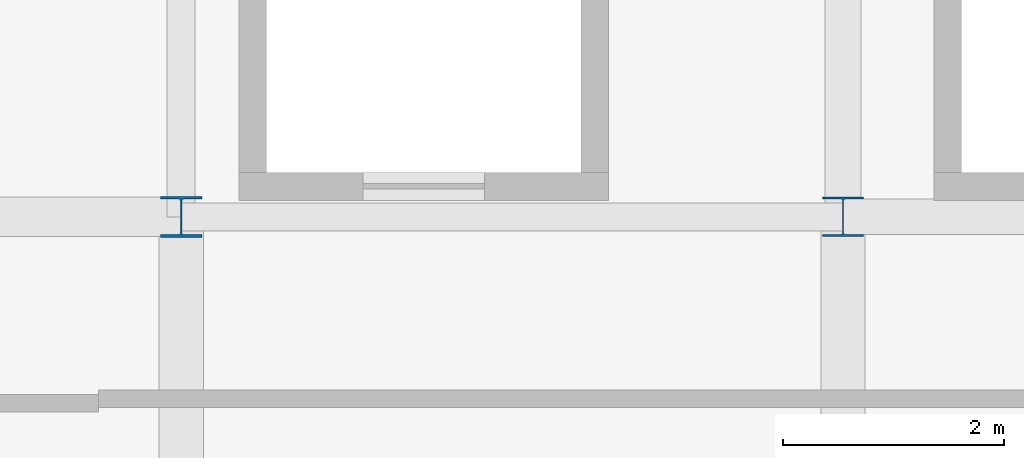
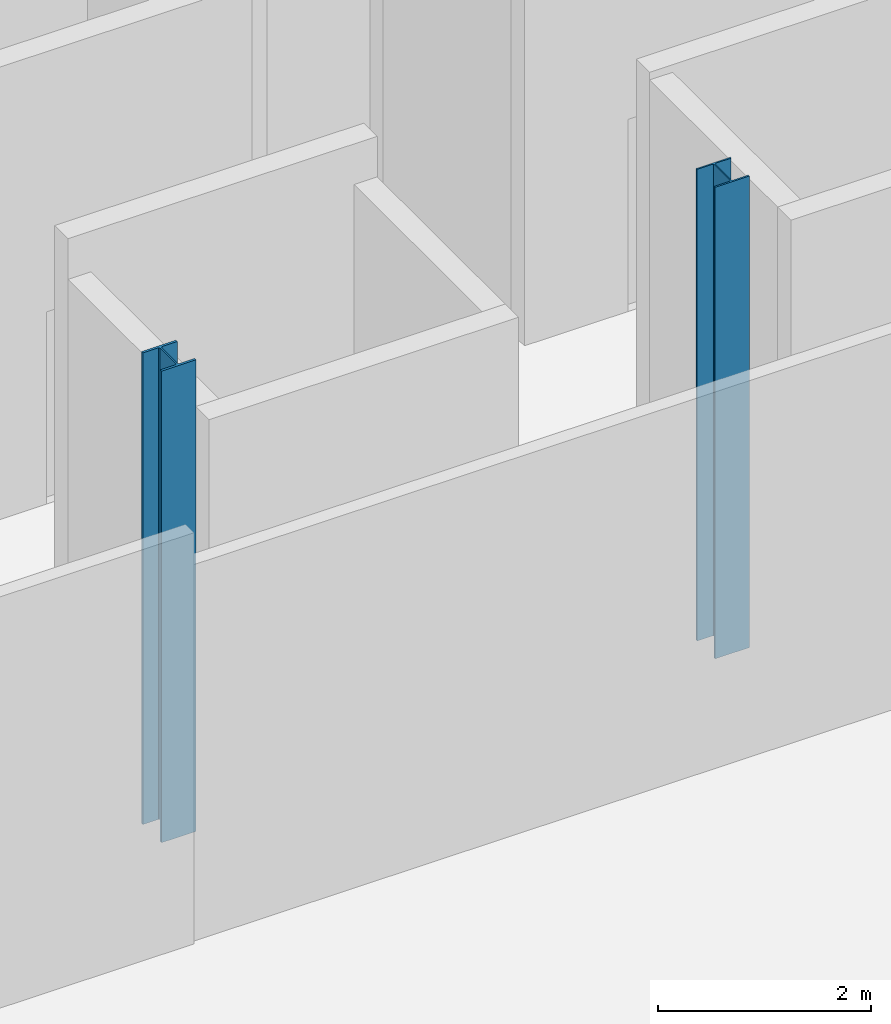
# One storey, part 16 of 94: 2 columns.
"""IFC4 building model written with IfcOpenShell, lengths in metres."""

from ifc_helpers import new_model, si_unit, direction, frame, origin, origin_2d, place, context, subcontext, project, spatial, i_section, extrude, material, material_profile, profile_set, type_object, element, save


model = new_model("IFC4")

# Units and contexts
model_context = context("Model", 3, precision=1e-05, world=origin(), true_north=direction((0.0, 1.0)))
body_context = subcontext(model_context, "Body", "Model", "MODEL_VIEW")
ifc_project = project(units=[si_unit("LENGTHUNIT", "METRE"), si_unit("AREAUNIT", "SQUARE_METRE"), si_unit("VOLUMEUNIT", "CUBIC_METRE"), si_unit("PLANEANGLEUNIT", "RADIAN"), si_unit("MASSUNIT", "GRAM", prefix="KILO")], contexts=[model_context])

# Site, building, storey
site_placement = place(None, origin())
site = spatial("IfcSite", under=ifc_project, at=site_placement, CompositionType="ELEMENT")
building_placement = place(site_placement, origin())
building = spatial("IfcBuilding", under=site, at=building_placement, Name="Qamarlyn Nura Convention Centre", CompositionType="ELEMENT")
storey_placement = place(building_placement, origin())
storey = spatial("IfcBuildingStorey", under=building, at=storey_placement, Name="L00", CompositionType="ELEMENT", Elevation=0.0)

# Columns
ifc_material = material(Name="Steel ASTM A992", Category="steel")
ifc_material_profile_1 = material_profile(ifc_material, i_section(OverallWidth=0.3740234375, OverallDepth=0.3720703125, WebThickness=0.016357421875, FlangeThickness=0.026123046875, FilletRadius=0.01611328125, at=origin_2d()), Name="W360X196")
ifc_profile_set_1 = profile_set([ifc_material_profile_1], Name="Steel ASTM A992")
column_type_1 = type_object("IfcColumnType", Name="COL-WING-2", PredefinedType="COLUMN", material=ifc_profile_set_1)
column_1_placement = place(storey_placement, frame((180.0, 54.0, 0.0), z_axis=(0.0, 0.0, 1.0), x_axis=(1.0, 0.0, 0.0)))
element("IfcColumn", 1, at=column_1_placement, inside=storey, type_object=column_type_1, Name="L00 column 16/G", PredefinedType="COLUMN", context=body_context, shape_type="SweptSolid", body=[
    extrude(i_section(OverallWidth=0.3740234375, OverallDepth=0.3720703125, WebThickness=0.016357421875, FlangeThickness=0.026123046875, FilletRadius=0.01611328125, at=origin_2d()), origin(), (0.0, 0.0, 1.0), 5.39990234375),
])
ifc_material_profile_2 = material_profile(ifc_material, i_section(OverallWidth=0.368896484375, OverallDepth=0.35595703125, WebThickness=0.01123046875, FlangeThickness=0.01806640625, FilletRadius=0.014892578125, at=origin_2d()), Name="W360X134")
ifc_profile_set_2 = profile_set([ifc_material_profile_2], Name="Steel ASTM A992")
column_type_2 = type_object("IfcColumnType", Name="COL-WING-3", PredefinedType="COLUMN", material=ifc_profile_set_2)
column_2_placement = place(storey_placement, frame((186.0, 54.0, 0.0), z_axis=(0.0, 0.0, 1.0), x_axis=(1.0, 0.0, 0.0)))
element("IfcColumn", 2, at=column_2_placement, inside=storey, type_object=column_type_2, Name="L00 column 17/G", PredefinedType="COLUMN", context=body_context, shape_type="SweptSolid", body=[
    extrude(i_section(OverallWidth=0.368896484375, OverallDepth=0.35595703125, WebThickness=0.01123046875, FlangeThickness=0.01806640625, FilletRadius=0.014892578125, at=origin_2d()), origin(), (0.0, 0.0, 1.0), 5.39990234375),
])

save(model, "model.ifc")
